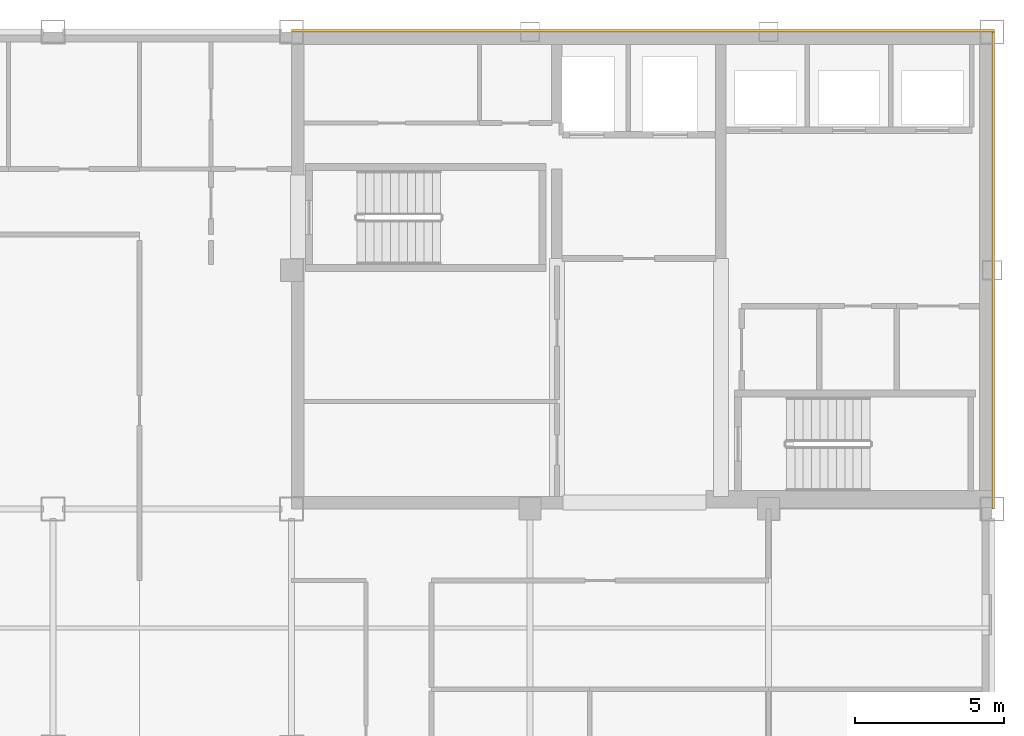
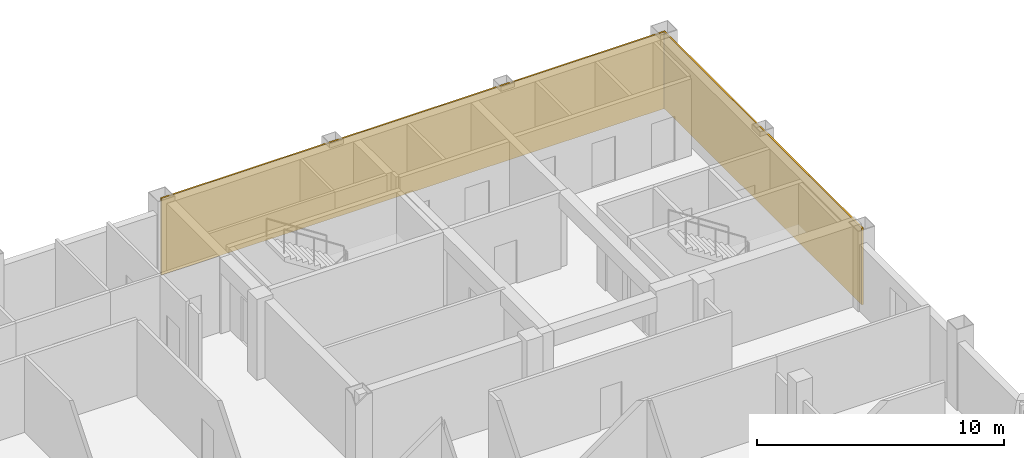
# One storey, part 7 of 7: 2 coverings.
"""IFC4 building model written with IfcOpenShell, lengths in metres."""

from ifc_helpers import new_model, si_unit, direction, frame, origin, origin_2d, place, context, subcontext, project, spatial, rectangle, extrude, material, layer, layer_set, type_object, element, save


model = new_model("IFC4")

# Units and contexts
model_context = context("Model", 3, precision=1e-05, world=origin(), true_north=direction((0.0, 1.0)))
body_context = subcontext(model_context, "Body", "Model", "MODEL_VIEW")
ifc_project = project(units=[si_unit("LENGTHUNIT", "METRE"), si_unit("AREAUNIT", "SQUARE_METRE"), si_unit("VOLUMEUNIT", "CUBIC_METRE"), si_unit("PLANEANGLEUNIT", "RADIAN"), si_unit("MASSUNIT", "GRAM", prefix="KILO")], contexts=[model_context])

# Site, building, storey
site_placement = place(None, origin())
site = spatial("IfcSite", under=ifc_project, at=site_placement, CompositionType="ELEMENT")
building_placement = place(site_placement, origin())
building = spatial("IfcBuilding", under=site, at=building_placement, Name="Qianrong Seaharbour Tower", CompositionType="ELEMENT")
storey_placement = place(building_placement, frame((0.0, 0.0, 355.199951171875)))
storey = spatial("IfcBuildingStorey", under=building, at=storey_placement, Name="L86", CompositionType="ELEMENT", Elevation=355.199951171875)

# Coverings
ifc_material = material(Name="Unitised red brick cladding on Precast concrete C45/55", Category="masonry")
ifc_layer = layer(ifc_material, 0.080078125)
ifc_layer_set = layer_set([ifc_layer], Name="Unitised red brick cladding on Precast concrete C45/55")
covering_type = type_object("IfcCoveringType", Name="COV-CLAD-RED-BRICK-80", PredefinedType="CLADDING", material=ifc_layer_set)
covering_1_placement = place(storey_placement, frame((52.2900390625, 52.0400390625, 0.0), z_axis=(0.0, 0.0, 1.0), x_axis=(1.0, 0.0, 0.0)))
element("IfcCovering", 1, at=covering_1_placement, inside=storey, type_object=covering_type, Name="L86 North Core Brick Veneer Cladding", PredefinedType="CLADDING", context=body_context, shape_type="SweptSolid", body=[
    extrude(rectangle(XDim=23.580078125, YDim=0.080078125, at=origin_2d()), origin(), (0.0, 0.0, 1.0), 3.784912109375),
])
covering_2_placement = place(storey_placement, frame((64.0400390625, 44.0, 0.0), z_axis=(0.0, 0.0, 1.0), x_axis=(1.0, 0.0, 0.0)))
element("IfcCovering", 2, at=covering_2_placement, inside=storey, type_object=covering_type, Name="L86 East Core Brick Veneer Cladding", PredefinedType="CLADDING", context=body_context, shape_type="SweptSolid", body=[
    extrude(rectangle(XDim=0.080078125, YDim=16.0, at=origin_2d()), origin(), (0.0, 0.0, 1.0), 3.784912109375),
])

save(model, "model.ifc")
